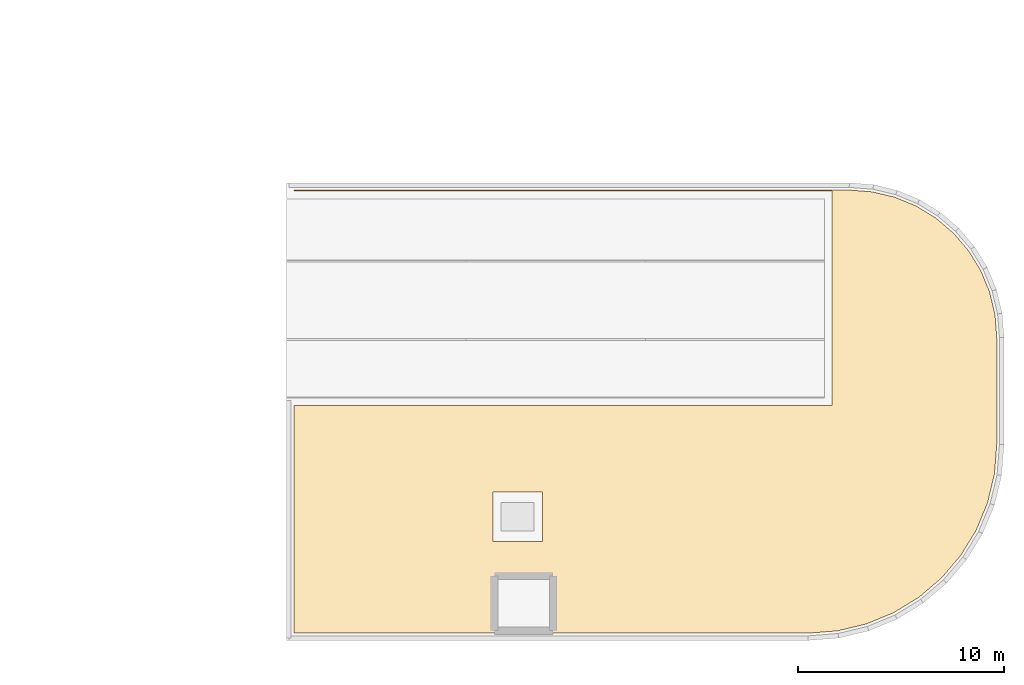
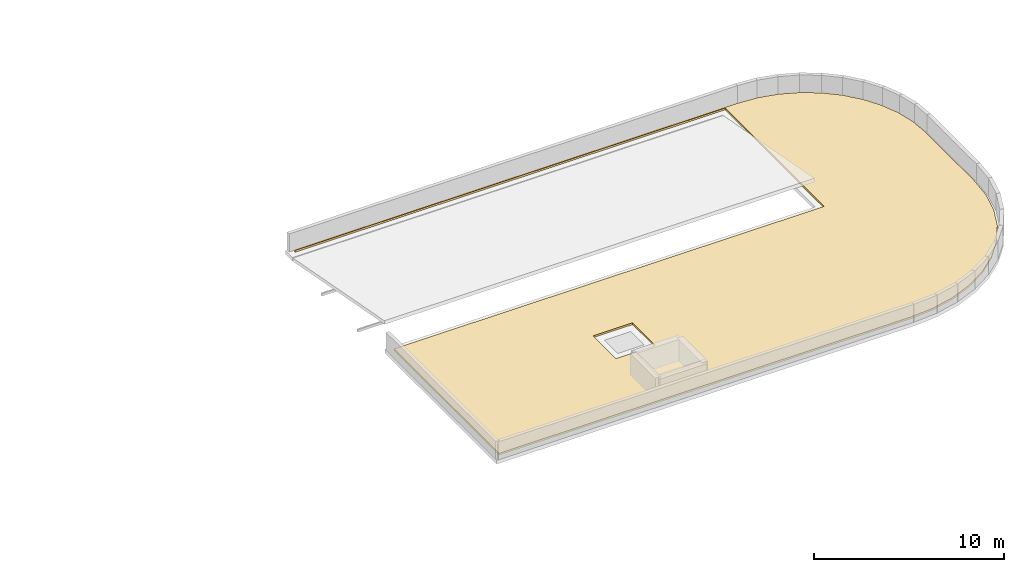
# One storey, part 76 of 76: 1 covering.
"""IFC4 building model written with IfcOpenShell, lengths in metres."""

from ifc_helpers import new_model, si_unit, derived_unit, direction, frame, origin, place, context, subcontext, project, spatial, polyline, outline, extrude, material, layer, layer_set, type_object, element, save


model = new_model("IFC4")

# Units and contexts
model_context = context("Model", 3, precision=1e-05, world=origin(), true_north=direction((0.0, 1.0)))
body_context = subcontext(model_context, "Body", "Model", "MODEL_VIEW")
ifc_project = project(units=[si_unit("LENGTHUNIT", "METRE"), si_unit("AREAUNIT", "SQUARE_METRE"), si_unit("VOLUMEUNIT", "CUBIC_METRE"), si_unit("PLANEANGLEUNIT", "RADIAN"), si_unit("MASSUNIT", "GRAM", prefix="KILO"), derived_unit("THERMALTRANSMITTANCEUNIT", [(si_unit("MASSUNIT", "GRAM", prefix="KILO"), 1), (si_unit("TIMEUNIT", "SECOND"), -3), (si_unit("THERMODYNAMICTEMPERATUREUNIT", "KELVIN"), -1)])], contexts=[model_context])

# Site, building, storey
site_placement = place(None, origin())
site = spatial("IfcSite", under=ifc_project, at=site_placement, CompositionType="ELEMENT")
building_placement = place(site_placement, origin())
building = spatial("IfcBuilding", under=site, at=building_placement, Name="Qinzheling Arcade Emporium", CompositionType="ELEMENT")
storey_placement = place(building_placement, frame((0.0, 0.0, 26.699951171875)))
storey = spatial("IfcBuildingStorey", under=building, at=storey_placement, Name="L06", CompositionType="ELEMENT", Elevation=26.699951171875)

# Covering
ifc_material = material(Name="TPO waterproof membrane over rigid polyisocyanurate insulation")
ifc_layer = layer(ifc_material, 0.1201171875, Name="TPO waterproof membrane over rigid polyisocyanurate insulation")
ifc_layer_set = layer_set([ifc_layer], Name="TPO waterproof membrane over rigid polyisocyanurate insulation")
covering_type = type_object("IfcCoveringType", Name="TPO Waterproof Insulated Roof Membrane 120", PredefinedType="ROOFING", material=ifc_layer_set)
covering_placement = place(storey_placement, origin())
element("IfcCovering", 1, at=covering_placement, inside=storey, type_object=covering_type, Name="Roof Membrane L06 5", PredefinedType="ROOFING", context=body_context, shape_type="SweptSolid", body=[
    extrude(outline(polyline([(122.14990234375, 24.85009765625), (149.0859375, 24.85009765625), (150.218017578125, 24.760986328125), (151.31005859375, 24.4990234375), (152.345947265625, 24.070068359375), (153.302001953125, 23.48388671875), (154.155029296875, 22.7548828125), (154.884033203125, 21.902099609375), (155.469970703125, 20.946044921875), (155.89892578125, 19.909912109375), (156.160888671875, 18.818115234375), (156.25, 17.68603515625), (156.25, 12.513916015625), (156.135986328125, 11.069091796875), (155.801025390625, 9.672119140625), (155.251953125, 8.345947265625), (154.501953125, 7.1220703125), (153.570068359375, 6.030029296875), (152.47802734375, 5.097900390625), (151.25390625, 4.347900390625), (149.927978515625, 3.799072265625), (148.531005859375, 3.464111328125), (147.0859375, 3.35009765625), (122.14990234375, 3.35009765625), (122.14990234375, 14.39990234375), (148.25, 14.39990234375), (148.25, 24.800048828125), (122.14990234375, 24.800048828125), (122.14990234375, 24.85009765625)]), holes=[polyline([(134.199951171875, 10.199951171875), (131.800048828125, 10.199951171875), (131.800048828125, 7.800048828125), (134.199951171875, 7.800048828125), (134.199951171875, 10.199951171875)])]), origin(), (0.0, 0.0, 1.0), 0.1201171875),
])

save(model, "model.ifc")
